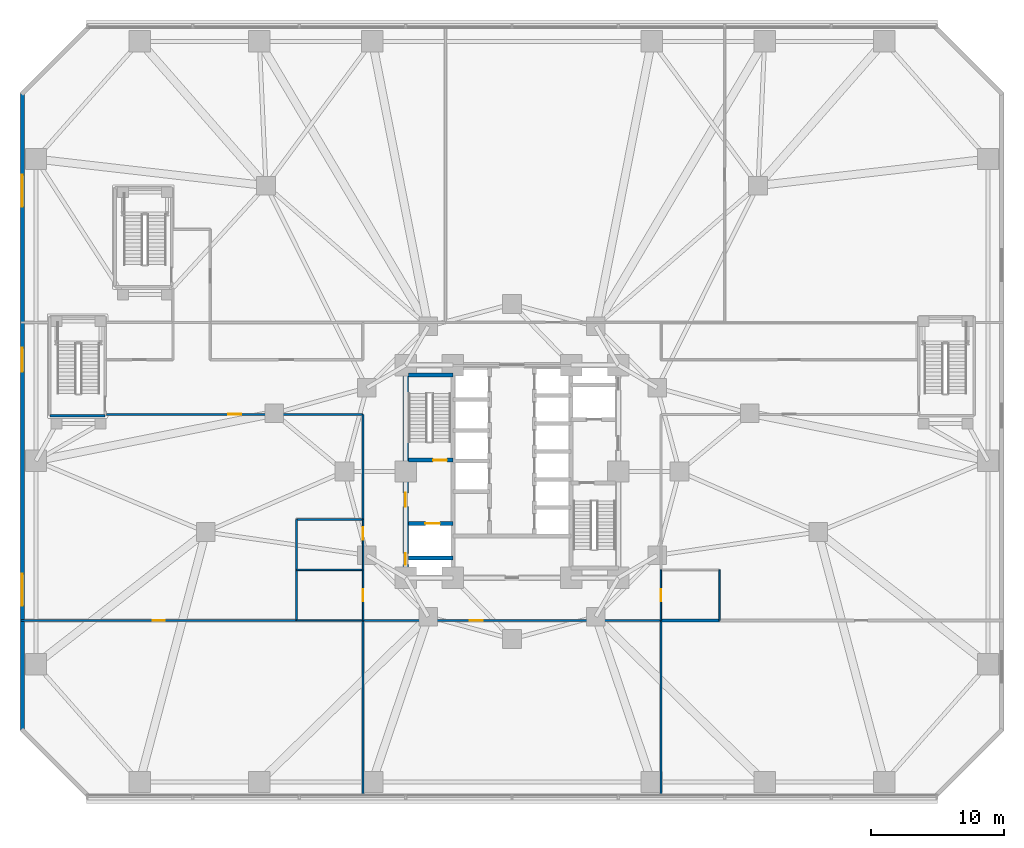
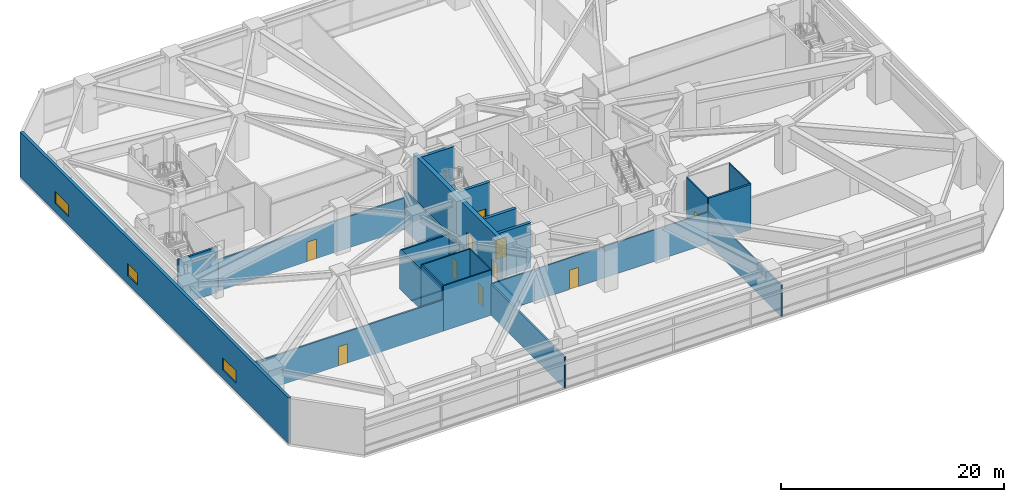
# One storey, part 15 of 27: 23 walls, 10 doors, 3 windows, 13 openings.
"""IFC4 building model written with IfcOpenShell, lengths in metres."""

from ifc_helpers import new_model, si_unit, direction, frame, frame_2d, origin, place, context, subcontext, project, spatial, rectangle, extrude, material, layer, layer_set, type_object, element, fill, save


model = new_model("IFC4")

# Units and contexts
model_context = context("Model", 3, precision=1e-05, world=origin(), true_north=direction((0.0, 1.0)))
body_context = subcontext(model_context, "Body", "Model", "MODEL_VIEW")
ifc_project = project(units=[si_unit("LENGTHUNIT", "METRE"), si_unit("AREAUNIT", "SQUARE_METRE"), si_unit("VOLUMEUNIT", "CUBIC_METRE"), si_unit("PLANEANGLEUNIT", "RADIAN"), si_unit("MASSUNIT", "GRAM", prefix="KILO")], contexts=[model_context])

# Site, building, storey
site_placement = place(None, origin())
site = spatial("IfcSite", under=ifc_project, at=site_placement, CompositionType="ELEMENT")
building_placement = place(site_placement, origin())
building = spatial("IfcBuilding", under=site, at=building_placement, Name="Terralouvre Media Tower", CompositionType="ELEMENT")
storey_placement = place(building_placement, frame((0.0, 0.0, 5.199951171875)))
storey = spatial("IfcBuildingStorey", under=building, at=storey_placement, Name="L01", CompositionType="ELEMENT", Elevation=5.199951171875)

# Wall, opening, door
ifc_material_1 = material(Name="Concrete C50/60", Category="concrete")
ifc_layer_1 = layer(ifc_material_1, 0.300048828125, Name="Core Internal Shaft Wall CW-300")
ifc_layer_set_1 = layer_set([ifc_layer_1], Name="Concrete C50/60")
wall_type_1 = type_object("IfcWallType", Name="Core Internal Shaft Wall CW-300", PredefinedType="SHEAR", material=ifc_layer_set_1)
wall_1_placement = place(storey_placement, frame((-7.7900390625, 0.85009765625, 0.0), z_axis=(0.0, 0.0, 1.0), x_axis=(1.0, 0.0, 0.0)))
wall_1 = element("IfcWall", 1, at=wall_1_placement, inside=storey, type_object=wall_type_1, Name="L01 Core Shaft Wall ST1D", PredefinedType="SHEAR", context=body_context, shape_type="SweptSolid", body=[
    extrude(rectangle(XDim=3.340087890625, YDim=0.300048828125, at=frame_2d((1.669921875, 0.0))), origin(), (0.0, 0.0, 1.0), 4.949951171875),
])
opening_1_placement = place(wall_1_placement, frame((1.85009765625, 0.0, 0.0)))
opening_1 = element("IfcOpeningElement", 2, at=opening_1_placement, cuts=wall_1, Name="Opening FD-01-105X215", PredefinedType="OPENING", context=body_context, shape_type="SweptSolid", body=[
    extrude(rectangle(XDim=1.050048828125, YDim=2.14990234375, at=frame_2d((0.52490234375, 1.074951171875))), frame((0.0, 0.159912109375, 0.0), z_axis=(0.0, -1.0, 0.0), x_axis=(1.0, 0.0, 0.0)), (0.0, 0.0, 1.0), 0.320068359375),
])
ifc_material_2 = material(Name="Galvanised steel fire-resisting leaf", Category="steel")
door_type_1 = type_object("IfcDoorType", Name="Stair and Firefighting Lobby Fire Door FD-01 (1050x2150)", OperationType="NOTDEFINED", PredefinedType="DOOR", material=ifc_material_2)
door_1_placement = place(opening_1_placement, origin())
door_1 = element("IfcDoor", 3, at=door_1_placement, inside=storey, type_object=door_type_1, Name="L01 ST-01 Exit Stair Door", OperationType="SINGLE_SWING_LEFT", OverallHeight=2.14990234375, OverallWidth=1.050048828125, PredefinedType="DOOR", context=body_context, shape_type="SweptSolid", body=[
    extrude(rectangle(XDim=1.050048828125, YDim=2.14990234375, at=frame_2d((0.52490234375, 1.074951171875))), frame((0.0, 0.02490234375, 0.0), z_axis=(0.0, -1.0, 0.0), x_axis=(1.0, 0.0, 0.0)), (0.0, 0.0, 1.0), 0.050048828125),
])
fill(opening_1, door_1)

# Wall
wall_2_placement = place(storey_placement, frame((-7.7900390625, 7.260009765625, 0.0), z_axis=(0.0, 0.0, 1.0), x_axis=(1.0, 0.0, 0.0)))
element("IfcWall", 4, at=wall_2_placement, inside=storey, type_object=wall_type_1, Name="L01 Core Shaft Wall ST1F", PredefinedType="SHEAR", context=body_context, shape_type="SweptSolid", body=[
    extrude(rectangle(XDim=3.340087890625, YDim=0.300048828125, at=frame_2d((1.669921875, 0.0))), origin(), (0.0, 0.0, 1.0), 4.949951171875),
])

# Wall, opening, door
wall_3_placement = place(storey_placement, frame((-7.7900390625, -3.89990234375, 0.0), z_axis=(0.0, 0.0, 1.0), x_axis=(1.0, 0.0, 0.0)))
wall_3 = element("IfcWall", 5, at=wall_3_placement, inside=storey, type_object=wall_type_1, Name="L01 Core Shaft Wall FF1N", PredefinedType="SHEAR", context=body_context, shape_type="SweptSolid", body=[
    extrude(rectangle(XDim=3.340087890625, YDim=0.300048828125, at=frame_2d((1.669921875, 0.0))), origin(), (0.0, 0.0, 1.0), 4.949951171875),
])
opening_2_placement = place(wall_3_placement, frame((1.27001953125, 0.0, 0.0)))
opening_2 = element("IfcOpeningElement", 6, at=opening_2_placement, cuts=wall_3, Name="Opening LD-FF", PredefinedType="OPENING", context=body_context, shape_type="SweptSolid", body=[
    extrude(rectangle(XDim=1.10009765625, YDim=2.10009765625, at=frame_2d((0.550048828125, 1.050048828125))), frame((0.0, 0.159912109375, 0.0), z_axis=(0.0, -1.0, 0.0), x_axis=(1.0, 0.0, 0.0)), (0.0, 0.0, 1.0), 0.320068359375),
])
ifc_material_3 = material(Name="Stainless steel 316 handrail and balustrade", Category="steel")
door_type_2 = type_object("IfcDoorType", Name="Firefighting Lift Sliding Landing Door LD-FF", OperationType="SLIDING_TO_LEFT", PredefinedType="DOOR", material=ifc_material_3)
door_2_placement = place(opening_2_placement, origin())
door_2 = element("IfcDoor", 7, at=door_2_placement, inside=storey, type_object=door_type_2, Name="L01 Firefighting Lift FFL-01 Landing Door", OperationType="SLIDING_TO_LEFT", OverallHeight=2.10009765625, OverallWidth=1.10009765625, PredefinedType="DOOR", context=body_context, shape_type="SweptSolid", body=[
    extrude(rectangle(XDim=1.10009765625, YDim=2.10009765625, at=frame_2d((0.550048828125, 1.050048828125))), frame((0.0, 0.02490234375, 0.0), z_axis=(0.0, -1.0, 0.0), x_axis=(1.0, 0.0, 0.0)), (0.0, 0.0, 1.0), 0.050048828125),
])
fill(opening_2, door_2)

# Wall
wall_4_placement = place(storey_placement, frame((-7.7900390625, -6.5, 0.0), z_axis=(0.0, 0.0, 1.0), x_axis=(1.0, 0.0, 0.0)))
element("IfcWall", 8, at=wall_4_placement, inside=storey, type_object=wall_type_1, Name="L01 Core Shaft Wall FF1S", PredefinedType="SHEAR", context=body_context, shape_type="SweptSolid", body=[
    extrude(rectangle(XDim=3.340087890625, YDim=0.300048828125, at=frame_2d((1.669921875, 0.0))), origin(), (0.0, 0.0, 1.0), 4.949951171875),
])

# Wall, openings, doors
ifc_material_4 = material(Name="Concrete C60/75", Category="concrete")
ifc_layer_2 = layer(ifc_material_4, 0.419921875, Name="Core Reinforced Concrete Shear Wall CW-420")
ifc_layer_set_2 = layer_set([ifc_layer_2], Name="Concrete C60/75")
wall_type_2 = type_object("IfcWallType", Name="Core Reinforced Concrete Shear Wall CW-420", PredefinedType="SHEAR", material=ifc_layer_set_2)
wall_5_placement = place(storey_placement, frame((-8.0, -8.0, 0.0), z_axis=(0.0, 0.0, 1.0), x_axis=(0.0, 1.0, 0.0)))
wall_5 = element("IfcWall", 9, at=wall_5_placement, inside=storey, type_object=wall_type_2, Name="L01 W Core Shear Wall", PredefinedType="SHEAR", context=body_context, shape_type="SweptSolid", body=[
    extrude(rectangle(XDim=16.0, YDim=0.419921875, at=frame_2d((8.0, 0.0))), origin(), (0.0, 0.0, 1.0), 4.949951171875),
])
opening_3_placement = place(wall_5_placement, frame((1.001708984375, 0.0, 0.0)))
opening_3 = element("IfcOpeningElement", 10, at=opening_3_placement, cuts=wall_5, Name="Opening TD-R1", PredefinedType="OPENING", context=body_context, shape_type="SweptSolid", body=[
    extrude(rectangle(XDim=0.85009765625, YDim=2.02001953125, at=frame_2d((0.425048828125, 1.010009765625))), frame((0.0, 0.219970703125, 0.0), z_axis=(0.0, -1.0, 0.0), x_axis=(1.0, 0.0, 0.0)), (0.0, 0.0, 1.0), 0.43994140625),
])
opening_4_placement = place(wall_5_placement, frame((5.35009765625, 0.0, 0.0)))
opening_4 = element("IfcOpeningElement", 11, at=opening_4_placement, cuts=wall_5, Name="Opening FD-01-105X215", PredefinedType="OPENING", context=body_context, shape_type="SweptSolid", body=[
    extrude(rectangle(XDim=1.050048828125, YDim=2.14990234375, at=frame_2d((0.52490234375, 1.074951171875))), frame((0.0, 0.219970703125, 0.0), z_axis=(0.0, -1.0, 0.0), x_axis=(1.0, 0.0, 0.0)), (0.0, 0.0, 1.0), 0.43994140625),
])
ifc_material_5 = material(Name="Galvanised steel fire-resisting leaf", Category="steel")
door_type_3 = type_object("IfcDoorType", Name="Riser Inspection Access Trapdoor TD-R1", OperationType="NOTDEFINED", PredefinedType="TRAPDOOR", material=ifc_material_5)
door_3_placement = place(opening_3_placement, origin())
door_3 = element("IfcDoor", 12, at=door_3_placement, inside=storey, type_object=door_type_3, Name="L01 Wet Riser Access Trapdoor", OperationType="SINGLE_SWING_LEFT", OverallHeight=2.02001953125, OverallWidth=0.85009765625, PredefinedType="TRAPDOOR", context=body_context, shape_type="SweptSolid", body=[
    extrude(rectangle(XDim=0.85009765625, YDim=2.02001953125, at=frame_2d((0.425048828125, 1.010009765625))), frame((0.0, 0.02490234375, 0.0), z_axis=(0.0, -1.0, 0.0), x_axis=(1.0, 0.0, 0.0)), (0.0, 0.0, 1.0), 0.050048828125),
])
fill(opening_3, door_3)
door_4_placement = place(opening_4_placement, origin())
door_4 = element("IfcDoor", 13, at=door_4_placement, inside=storey, type_object=door_type_1, Name="L01 West Firefighting Lobby Entry Door", OperationType="SINGLE_SWING_RIGHT", OverallHeight=2.14990234375, OverallWidth=1.050048828125, PredefinedType="DOOR", context=body_context, shape_type="SweptSolid", body=[
    extrude(rectangle(XDim=1.050048828125, YDim=2.14990234375, at=frame_2d((0.52490234375, 1.074951171875))), frame((0.0, 0.02490234375, 0.0), z_axis=(0.0, -1.0, 0.0), x_axis=(1.0, 0.0, 0.0)), (0.0, 0.0, 1.0), 0.050048828125),
])
fill(opening_4, door_4)

# Walls
ifc_material_6 = material(Name="Fire-rated gypsum board drywall partition")
ifc_layer_3 = layer(ifc_material_6, 0.199951171875, Name="Fire-Rated Shaft and Lobby Partition FW-200")
ifc_layer_set_3 = layer_set([ifc_layer_3], Name="Fire-rated gypsum board drywall partition")
wall_type_3 = type_object("IfcWallType", Name="Fire-Rated Shaft and Lobby Partition FW-200", PredefinedType="SOLIDWALL", material=ifc_layer_set_3)
wall_6_placement = place(storey_placement, frame((-34.75, 4.199951171875, 0.0), z_axis=(0.0, 0.0, 1.0), x_axis=(1.0, 0.0, 0.0)))
element("IfcWall", 14, at=wall_6_placement, inside=storey, type_object=wall_type_3, Name="L01 ST03 Stair Shaft Wall S", PredefinedType="SOLIDWALL", context=body_context, shape_type="SweptSolid", body=[
    extrude(rectangle(XDim=4.14990234375, YDim=0.199951171875, at=frame_2d((2.074951171875, 0.0))), origin(), (0.0, 0.0, 1.0), 4.949951171875),
])
wall_7_placement = place(storey_placement, frame((15.60009765625, -11.199951171875, 0.0), z_axis=(0.0, 0.0, 1.0), x_axis=(-1.0, 0.0, 0.0)))
element("IfcWall", 15, at=wall_7_placement, inside=storey, type_object=wall_type_3, Name="L01 Interior Partition 031", PredefinedType="SOLIDWALL", context=body_context, shape_type="SweptSolid", body=[
    extrude(rectangle(XDim=4.400146484375, YDim=0.199951171875, at=frame_2d((2.2001953125, 0.0))), origin(), (0.0, 0.0, 1.0), 4.949951171875),
])

# Wall, opening, door
ifc_material_7 = material(Name="Fire-rated gypsum board drywall partition")
ifc_layer_4 = layer(ifc_material_7, 0.135009765625, Name="Newsroom Acoustic Partition PT-135")
ifc_layer_set_4 = layer_set([ifc_layer_4], Name="Fire-rated gypsum board drywall partition")
wall_type_4 = type_object("IfcWallType", Name="Newsroom Acoustic Partition PT-135", PredefinedType="PARTITIONING", material=ifc_layer_set_4)
wall_8_placement = place(storey_placement, frame((-11.199951171875, -11.199951171875, 0.0), z_axis=(0.0, 0.0, 1.0), x_axis=(1.0, 0.0, 0.0)))
wall_8 = element("IfcWall", 16, at=wall_8_placement, inside=storey, type_object=wall_type_4, Name="L01 Interior Partition 006", PredefinedType="PARTITIONING", context=body_context, shape_type="SweptSolid", body=[
    extrude(rectangle(XDim=22.39990234375, YDim=0.135009765625, at=frame_2d((11.199951171875, 0.0))), origin(), (0.0, 0.0, 1.0), 3.43505859375),
])
opening_5_placement = place(wall_8_placement, frame((8.037109375, 0.0, 0.0)))
opening_5 = element("IfcOpeningElement", 17, at=opening_5_placement, cuts=wall_8, Name="Opening ID-02-95X210", PredefinedType="OPENING", context=body_context, shape_type="SweptSolid", body=[
    extrude(rectangle(XDim=0.949951171875, YDim=2.10009765625, at=frame_2d((0.47509765625, 1.050048828125))), frame((0.0, 0.077392578125, 0.0), z_axis=(0.0, -1.0, 0.0), x_axis=(1.0, 0.0, 0.0)), (0.0, 0.0, 1.0), 0.155029296875),
])
ifc_material_8 = material(Name="Engineered hardwood acoustic timber leaf", Category="wood")
door_type_4 = type_object("IfcDoorType", Name="Office and Meeting Room Door ID-02 (950x2100)", OperationType="NOTDEFINED", PredefinedType="DOOR", material=ifc_material_8)
door_5_placement = place(opening_5_placement, origin())
door_5 = element("IfcDoor", 18, at=door_5_placement, inside=storey, type_object=door_type_4, Name="L01 L01 Live Audience Warm-Up Foyer 3 Door", OperationType="SINGLE_SWING_LEFT", OverallHeight=2.10009765625, OverallWidth=0.949951171875, PredefinedType="DOOR", context=body_context, shape_type="SweptSolid", body=[
    extrude(rectangle(XDim=0.949951171875, YDim=2.10009765625, at=frame_2d((0.47509765625, 1.050048828125))), frame((0.0, 0.02490234375, 0.0), z_axis=(0.0, -1.0, 0.0), x_axis=(1.0, 0.0, 0.0)), (0.0, 0.0, 1.0), 0.050048828125),
])
fill(opening_5, door_5)

# Wall
wall_9_placement = place(storey_placement, frame((11.199951171875, -24.419921875, 0.0), z_axis=(0.0, 0.0, 1.0), x_axis=(0.0, 1.0, 0.0)))
element("IfcWall", 19, at=wall_9_placement, inside=storey, type_object=wall_type_4, Name="L01 Interior Partition 030", PredefinedType="PARTITIONING", context=body_context, shape_type="SweptSolid", body=[
    extrude(rectangle(XDim=13.219970703125, YDim=0.135009765625, at=frame_2d((6.60986328125, 0.0))), origin(), (0.0, 0.0, 1.0), 3.43505859375),
])

# Wall, openings, windows
ifc_material_9 = material(Name="Kiln-fired architectural terracotta rainscreen cladding", Category="masonry")
ifc_layer_5 = layer(ifc_material_9, 0.300048828125, Name="Podium Acoustic Terracotta Cladding Wall EW-TC300")
ifc_layer_set_5 = layer_set([ifc_layer_5], Name="Kiln-fired architectural terracotta rainscreen cladding")
wall_type_5 = type_object("IfcWallType", Name="Podium Acoustic Terracotta Cladding Wall EW-TC300", PredefinedType="SOLIDWALL", material=ifc_layer_set_5)
wall_10_placement = place(storey_placement, frame((-36.824951171875, 28.5, 0.0), z_axis=(0.0, 0.0, 1.0), x_axis=(0.0, -1.0, 0.0)))
wall_10 = element("IfcWall", 20, at=wall_10_placement, inside=storey, type_object=wall_type_5, Name="L01 Podium Terracotta Wall F6", PredefinedType="SOLIDWALL", context=body_context, shape_type="SweptSolid", body=[
    extrude(rectangle(XDim=48.0, YDim=0.300048828125, at=frame_2d((24.0, 0.0))), origin(), (0.0, 0.0, 1.0), 4.949951171875),
])
opening_6_placement = place(wall_10_placement, frame((6.199951171875, 0.0, 0.89990234375)))
opening_6 = element("IfcOpeningElement", 21, at=opening_6_placement, cuts=wall_10, Name="Opening W-01", PredefinedType="OPENING", context=body_context, shape_type="SweptSolid", body=[
    extrude(rectangle(XDim=2.39990234375, YDim=1.35009765625, at=frame_2d((1.199951171875, 0.675048828125))), frame((0.0, 0.159912109375, 0.0), z_axis=(0.0, -1.0, 0.0), x_axis=(1.0, 0.0, 0.0)), (0.0, 0.0, 1.0), 0.320068359375),
])
opening_7_placement = place(wall_10_placement, frame((19.199951171875, 0.0, 0.89990234375)))
opening_7 = element("IfcOpeningElement", 22, at=opening_7_placement, cuts=wall_10, Name="Opening W-02", PredefinedType="OPENING", context=body_context, shape_type="SweptSolid", body=[
    extrude(rectangle(XDim=1.800048828125, YDim=1.35009765625, at=frame_2d((0.89990234375, 0.675048828125))), frame((0.0, 0.159912109375, 0.0), z_axis=(0.0, -1.0, 0.0), x_axis=(1.0, 0.0, 0.0)), (0.0, 0.0, 1.0), 0.320068359375),
])
opening_8_placement = place(wall_10_placement, frame((36.199951171875, 0.0, 0.89990234375)))
opening_8 = element("IfcOpeningElement", 23, at=opening_8_placement, cuts=wall_10, Name="Opening W-01", PredefinedType="OPENING", context=body_context, shape_type="SweptSolid", body=[
    extrude(rectangle(XDim=2.39990234375, YDim=1.35009765625, at=frame_2d((1.199951171875, 0.675048828125))), frame((0.0, 0.159912109375, 0.0), z_axis=(0.0, -1.0, 0.0), x_axis=(1.0, 0.0, 0.0)), (0.0, 0.0, 1.0), 0.320068359375),
])
ifc_material_10 = material(Name="Low-iron laminated double glazing with solar-control coating", Category="glass")
window_type_1 = type_object("IfcWindowType", Name="Podium Acoustic Studio Window W-01", PartitioningType="SINGLE_PANEL", PredefinedType="WINDOW", material=ifc_material_10)
window_1_placement = place(opening_6_placement, origin())
window_1 = element("IfcWindow", 24, at=window_1_placement, inside=storey, type_object=window_type_1, Name="L01 Podium Window WIN-L01-F6-1", OverallHeight=1.35009765625, OverallWidth=2.39990234375, PartitioningType="SINGLE_PANEL", PredefinedType="WINDOW", context=body_context, shape_type="SweptSolid", body=[
    extrude(rectangle(XDim=2.39990234375, YDim=1.35009765625, at=frame_2d((1.199951171875, 0.675048828125))), frame((0.0, 0.030029296875, 0.0), z_axis=(0.0, -1.0, 0.0), x_axis=(1.0, 0.0, 0.0)), (0.0, 0.0, 1.0), 0.06005859375),
])
fill(opening_6, window_1)
window_2_placement = place(opening_8_placement, origin())
window_2 = element("IfcWindow", 25, at=window_2_placement, inside=storey, type_object=window_type_1, Name="L01 Podium Window WIN-L01-F6-3", OverallHeight=1.35009765625, OverallWidth=2.39990234375, PartitioningType="SINGLE_PANEL", PredefinedType="WINDOW", context=body_context, shape_type="SweptSolid", body=[
    extrude(rectangle(XDim=2.39990234375, YDim=1.35009765625, at=frame_2d((1.199951171875, 0.675048828125))), frame((0.0, 0.030029296875, 0.0), z_axis=(0.0, -1.0, 0.0), x_axis=(1.0, 0.0, 0.0)), (0.0, 0.0, 1.0), 0.06005859375),
])
fill(opening_8, window_2)
ifc_material_11 = material(Name="Low-iron laminated double glazing with solar-control coating", Category="glass")
window_type_2 = type_object("IfcWindowType", Name="Podium Press Office Window W-02", PartitioningType="SINGLE_PANEL", PredefinedType="WINDOW", material=ifc_material_11)
window_3_placement = place(opening_7_placement, origin())
window_3 = element("IfcWindow", 26, at=window_3_placement, inside=storey, type_object=window_type_2, Name="L01 Podium Window WIN-L01-F6-2", OverallHeight=1.35009765625, OverallWidth=1.800048828125, PartitioningType="SINGLE_PANEL", PredefinedType="WINDOW", context=body_context, shape_type="SweptSolid", body=[
    extrude(rectangle(XDim=1.800048828125, YDim=1.35009765625, at=frame_2d((0.89990234375, 0.675048828125))), frame((0.0, 0.030029296875, 0.0), z_axis=(0.0, -1.0, 0.0), x_axis=(1.0, 0.0, 0.0)), (0.0, 0.0, 1.0), 0.06005859375),
])
fill(opening_7, window_3)

# Wall, opening, door
ifc_material_12 = material(Name="Fire-rated gypsum board drywall partition")
ifc_layer_6 = layer(ifc_material_12, 0.114990234375, Name="Restroom and Pantry Partition PT-115")
ifc_layer_set_6 = layer_set([ifc_layer_6], Name="Fire-rated gypsum board drywall partition")
wall_type_6 = type_object("IfcWallType", Name="Restroom and Pantry Partition PT-115", PredefinedType="PARTITIONING", material=ifc_layer_set_6)
wall_11_placement = place(storey_placement, frame((-11.199951171875, -3.60009765625, 0.0), z_axis=(0.0, 0.0, 1.0), x_axis=(0.0, -1.0, 0.0)))
wall_11 = element("IfcWall", 27, at=wall_11_placement, inside=storey, type_object=wall_type_6, Name="L01 Interior Partition 004", PredefinedType="PARTITIONING", context=body_context, shape_type="SweptSolid", body=[
    extrude(rectangle(XDim=3.7998046875, YDim=0.114990234375, at=frame_2d((1.89990234375, 0.0))), origin(), (0.0, 0.0, 1.0), 4.235107421875),
])
opening_9_placement = place(wall_11_placement, frame((0.60400390625, 0.0, 0.0)))
opening_9 = element("IfcOpeningElement", 28, at=opening_9_placement, cuts=wall_11, Name="Opening ID-03-92X210", PredefinedType="OPENING", context=body_context, shape_type="SweptSolid", body=[
    extrude(rectangle(XDim=0.919921875, YDim=2.10009765625, at=frame_2d((0.4599609375, 1.050048828125))), frame((0.0, 0.0673828125, 0.0), z_axis=(0.0, -1.0, 0.0), x_axis=(1.0, 0.0, 0.0)), (0.0, 0.0, 1.0), 0.135009765625),
])
ifc_material_13 = material(Name="Engineered hardwood acoustic timber leaf", Category="wood")
door_type_5 = type_object("IfcDoorType", Name="Accessible Restroom and Suite Door ID-03 (920x2100)", OperationType="NOTDEFINED", PredefinedType="DOOR", material=ifc_material_13)
door_6_placement = place(opening_9_placement, origin())
door_6 = element("IfcDoor", 29, at=door_6_placement, inside=storey, type_object=door_type_5, Name="L01 L01 Podium Female Restroom WC Door", OperationType="SINGLE_SWING_LEFT", OverallHeight=2.10009765625, OverallWidth=0.919921875, PredefinedType="DOOR", context=body_context, shape_type="SweptSolid", body=[
    extrude(rectangle(XDim=0.919921875, YDim=2.10009765625, at=frame_2d((0.4599609375, 1.050048828125))), frame((0.0, 0.02490234375, 0.0), z_axis=(0.0, -1.0, 0.0), x_axis=(1.0, 0.0, 0.0)), (0.0, 0.0, 1.0), 0.050048828125),
])
fill(opening_9, door_6)

wall_12_placement = place(storey_placement, frame((-11.199951171875, -7.39990234375, 0.0), z_axis=(0.0, 0.0, 1.0), x_axis=(0.0, -1.0, 0.0)))
wall_12 = element("IfcWall", 30, at=wall_12_placement, inside=storey, type_object=wall_type_6, Name="L01 Interior Partition 005", PredefinedType="PARTITIONING", context=body_context, shape_type="SweptSolid", body=[
    extrude(rectangle(XDim=3.800048828125, YDim=0.114990234375, at=frame_2d((1.89990234375, 0.0))), origin(), (0.0, 0.0, 1.0), 4.949951171875),
])
opening_10_placement = place(wall_12_placement, frame((1.43994140625, 0.0, 0.0)))
opening_10 = element("IfcOpeningElement", 31, at=opening_10_placement, cuts=wall_12, Name="Opening ID-03-92X210", PredefinedType="OPENING", context=body_context, shape_type="SweptSolid", body=[
    extrude(rectangle(XDim=0.919921875, YDim=2.10009765625, at=frame_2d((0.4599609375, 1.050048828125))), frame((0.0, 0.0673828125, 0.0), z_axis=(0.0, -1.0, 0.0), x_axis=(1.0, 0.0, 0.0)), (0.0, 0.0, 1.0), 0.135009765625),
])
door_7_placement = place(opening_10_placement, origin())
door_7 = element("IfcDoor", 32, at=door_7_placement, inside=storey, type_object=door_type_5, Name="L01 L01 Podium Male Restroom WC Door", OperationType="SINGLE_SWING_RIGHT", OverallHeight=2.10009765625, OverallWidth=0.919921875, PredefinedType="DOOR", context=body_context, shape_type="SweptSolid", body=[
    extrude(rectangle(XDim=0.919921875, YDim=2.10009765625, at=frame_2d((0.4599609375, 1.050048828125))), frame((0.0, 0.02490234375, 0.0), z_axis=(0.0, -1.0, 0.0), x_axis=(1.0, 0.0, 0.0)), (0.0, 0.0, 1.0), 0.050048828125),
])
fill(opening_10, door_7)

wall_13_placement = place(storey_placement, frame((11.199951171875, -11.199951171875, 0.0), z_axis=(0.0, 0.0, 1.0), x_axis=(0.0, 1.0, 0.0)))
wall_13 = element("IfcWall", 33, at=wall_13_placement, inside=storey, type_object=wall_type_6, Name="L01 Interior Partition 007", PredefinedType="PARTITIONING", context=body_context, shape_type="SweptSolid", body=[
    extrude(rectangle(XDim=3.800048828125, YDim=0.114990234375, at=frame_2d((1.89990234375, 0.0))), origin(), (0.0, 0.0, 1.0), 4.949951171875),
])
opening_11_placement = place(wall_13_placement, frame((1.43994140625, 0.0, 0.0)))
opening_11 = element("IfcOpeningElement", 34, at=opening_11_placement, cuts=wall_13, Name="Opening ID-03-92X210", PredefinedType="OPENING", context=body_context, shape_type="SweptSolid", body=[
    extrude(rectangle(XDim=0.919921875, YDim=2.10009765625, at=frame_2d((0.4599609375, 1.050048828125))), frame((0.0, 0.0673828125, 0.0), z_axis=(0.0, -1.0, 0.0), x_axis=(1.0, 0.0, 0.0)), (0.0, 0.0, 1.0), 0.135009765625),
])
door_8_placement = place(opening_11_placement, origin())
door_8 = element("IfcDoor", 35, at=door_8_placement, inside=storey, type_object=door_type_5, Name="L01 L01 Podium Accessible Unisex WC Door", OperationType="SINGLE_SWING_RIGHT", OverallHeight=2.10009765625, OverallWidth=0.919921875, PredefinedType="DOOR", context=body_context, shape_type="SweptSolid", body=[
    extrude(rectangle(XDim=0.919921875, YDim=2.10009765625, at=frame_2d((0.4599609375, 1.050048828125))), frame((0.0, 0.02490234375, 0.0), z_axis=(0.0, -1.0, 0.0), x_axis=(1.0, 0.0, 0.0)), (0.0, 0.0, 1.0), 0.050048828125),
])
fill(opening_11, door_8)

# Walls
for number, where, z_axis, x_axis, name in (
    (36, (-16.199951171875, -7.39990234375, 0.0), (0.0, 0.0, 1.0), (1.0, 0.0, 0.0), "L01 Interior Partition 027"),
    (37, (-16.199951171875, -11.199951171875, 0.0), (0.0, 0.0, 1.0), (1.0, 0.0, 0.0), "L01 Interior Partition 028"),
):
    element("IfcWall", number, at=place(storey_placement, frame(where, z_axis=z_axis, x_axis=x_axis)), inside=storey, type_object=wall_type_6, Name=name, PredefinedType="PARTITIONING", context=body_context, shape_type="SweptSolid", body=[
        extrude(rectangle(XDim=5.0, YDim=0.114990234375, at=frame_2d((2.5, 0.0))), origin(), (0.0, 0.0, 1.0), 4.949951171875),
    ])
wall_14_placement = place(storey_placement, frame((15.60009765625, -11.199951171875, 0.0), z_axis=(0.0, 0.0, 1.0), x_axis=(0.0, 1.0, 0.0)))
element("IfcWall", 38, at=wall_14_placement, inside=storey, type_object=wall_type_6, Name="L01 Interior Partition 033", PredefinedType="PARTITIONING", context=body_context, shape_type="SweptSolid", body=[
    extrude(rectangle(XDim=3.800048828125, YDim=0.114990234375, at=frame_2d((1.89990234375, 0.0))), origin(), (0.0, 0.0, 1.0), 4.949951171875),
])

# Wall, opening, door
ifc_material_14 = material(Name="Fire-rated gypsum board drywall partition")
ifc_layer_7 = layer(ifc_material_14, 0.159912109375, Name="Studio Acoustic Rated Partition PT-160")
ifc_layer_set_7 = layer_set([ifc_layer_7], Name="Fire-rated gypsum board drywall partition")
wall_type_7 = type_object("IfcWallType", Name="Studio Acoustic Rated Partition PT-160", PredefinedType="PARTITIONING", material=ifc_layer_set_7)
wall_15_placement = place(storey_placement, frame((-30.5, 4.300048828125, 0.0), z_axis=(0.0, 0.0, 1.0), x_axis=(1.0, 0.0, 0.0)))
wall_15 = element("IfcWall", 39, at=wall_15_placement, inside=storey, type_object=wall_type_7, Name="L01 Interior Partition 002", PredefinedType="PARTITIONING", context=body_context, shape_type="SweptSolid", body=[
    extrude(rectangle(XDim=19.300048828125, YDim=0.159912109375, at=frame_2d((9.64990234375, 0.0))), origin(), (0.0, 0.0, 1.0), 3.43505859375),
])
opening_12_placement = place(wall_15_placement, frame((9.14990234375, 0.0, 0.0)))
opening_12 = element("IfcOpeningElement", 40, at=opening_12_placement, cuts=wall_15, Name="Opening ID-01-100X215", PredefinedType="OPENING", context=body_context, shape_type="SweptSolid", body=[
    extrude(rectangle(XDim=1.0, YDim=2.14990234375, at=frame_2d((0.5, 1.074951171875))), frame((0.0, 0.08984375, 0.0), z_axis=(0.0, -1.0, 0.0), x_axis=(1.0, 0.0, 0.0)), (0.0, 0.0, 1.0), 0.179931640625),
])
ifc_material_15 = material(Name="Engineered hardwood acoustic timber leaf", Category="wood")
door_type_6 = type_object("IfcDoorType", Name="Broadcast Studio Acoustic Single Door ID-01 (1000x2150)", OperationType="NOTDEFINED", PredefinedType="DOOR", material=ifc_material_15)
door_9_placement = place(opening_12_placement, origin())
door_9 = element("IfcDoor", 41, at=door_9_placement, inside=storey, type_object=door_type_6, Name="L01 L01 Broadcast Television Studio Hall A 1 Door", OperationType="SINGLE_SWING_RIGHT", OverallHeight=2.14990234375, OverallWidth=1.0, PredefinedType="DOOR", context=body_context, shape_type="SweptSolid", body=[
    extrude(rectangle(XDim=1.0, YDim=2.14990234375, at=frame_2d((0.5, 1.074951171875))), frame((0.0, 0.02490234375, 0.0), z_axis=(0.0, -1.0, 0.0), x_axis=(1.0, 0.0, 0.0)), (0.0, 0.0, 1.0), 0.050048828125),
])
fill(opening_12, door_9)

# Walls
wall_16_placement = place(storey_placement, frame((-11.199951171875, 4.300048828125, 0.0), z_axis=(0.0, 0.0, 1.0), x_axis=(0.0, -1.0, 0.0)))
element("IfcWall", 42, at=wall_16_placement, inside=storey, type_object=wall_type_7, Name="L01 Interior Partition 003", PredefinedType="PARTITIONING", context=body_context, shape_type="SweptSolid", body=[
    extrude(rectangle(XDim=7.900146484375, YDim=0.159912109375, at=frame_2d((3.9501953125, 0.0))), origin(), (0.0, 0.0, 1.0), 4.235107421875),
])
wall_17_placement = place(storey_placement, frame((-16.199951171875, -7.39990234375, 0.0), z_axis=(0.0, 0.0, 1.0), x_axis=(0.0, 1.0, 0.0)))
element("IfcWall", 43, at=wall_17_placement, inside=storey, type_object=wall_type_7, Name="L01 Interior Partition 022", PredefinedType="PARTITIONING", context=body_context, shape_type="SweptSolid", body=[
    extrude(rectangle(XDim=3.7998046875, YDim=0.159912109375, at=frame_2d((1.89990234375, 0.0))), origin(), (0.0, 0.0, 1.0), 4.235107421875),
])
wall_18_placement = place(storey_placement, frame((-16.199951171875, -3.60009765625, 0.0), z_axis=(0.0, 0.0, 1.0), x_axis=(1.0, 0.0, 0.0)))
element("IfcWall", 44, at=wall_18_placement, inside=storey, type_object=wall_type_7, Name="L01 Interior Partition 023", PredefinedType="PARTITIONING", context=body_context, shape_type="SweptSolid", body=[
    extrude(rectangle(XDim=5.0, YDim=0.159912109375, at=frame_2d((2.5, 0.0))), origin(), (0.0, 0.0, 1.0), 4.235107421875),
])
wall_19_placement = place(storey_placement, frame((-16.199951171875, -11.199951171875, 0.0), z_axis=(0.0, 0.0, 1.0), x_axis=(0.0, 1.0, 0.0)))
element("IfcWall", 45, at=wall_19_placement, inside=storey, type_object=wall_type_7, Name="L01 Interior Partition 024", PredefinedType="PARTITIONING", context=body_context, shape_type="SweptSolid", body=[
    extrude(rectangle(XDim=3.800048828125, YDim=0.159912109375, at=frame_2d((1.89990234375, 0.0))), origin(), (0.0, 0.0, 1.0), 4.949951171875),
])

# Wall, opening, door
wall_20_placement = place(storey_placement, frame((-36.919921875, -11.199951171875, 0.0), z_axis=(0.0, 0.0, 1.0), x_axis=(1.0, 0.0, 0.0)))
wall_20 = element("IfcWall", 46, at=wall_20_placement, inside=storey, type_object=wall_type_7, Name="L01 Interior Partition 025", PredefinedType="PARTITIONING", context=body_context, shape_type="SweptSolid", body=[
    extrude(rectangle(XDim=20.719970703125, YDim=0.159912109375, at=frame_2d((10.35986328125, 0.0))), origin(), (0.0, 0.0, 1.0), 3.43505859375),
])
opening_13_placement = place(wall_20_placement, frame((9.89990234375, 0.0, 0.0)))
opening_13 = element("IfcOpeningElement", 47, at=opening_13_placement, cuts=wall_20, Name="Opening ID-03-92X210", PredefinedType="OPENING", context=body_context, shape_type="SweptSolid", body=[
    extrude(rectangle(XDim=0.919921875, YDim=2.10009765625, at=frame_2d((0.4599609375, 1.050048828125))), frame((0.0, 0.08984375, 0.0), z_axis=(0.0, -1.0, 0.0), x_axis=(1.0, 0.0, 0.0)), (0.0, 0.0, 1.0), 0.179931640625),
])
door_10_placement = place(opening_13_placement, origin())
door_10 = element("IfcDoor", 48, at=door_10_placement, inside=storey, type_object=door_type_5, Name="L01 L01 Broadcast Television Studio Hall B 2 Door", OperationType="SINGLE_SWING_LEFT", OverallHeight=2.10009765625, OverallWidth=0.919921875, PredefinedType="DOOR", context=body_context, shape_type="SweptSolid", body=[
    extrude(rectangle(XDim=0.919921875, YDim=2.10009765625, at=frame_2d((0.4599609375, 1.050048828125))), frame((0.0, 0.02490234375, 0.0), z_axis=(0.0, -1.0, 0.0), x_axis=(1.0, 0.0, 0.0)), (0.0, 0.0, 1.0), 0.050048828125),
])
fill(opening_13, door_10)

# Wall
wall_21_placement = place(storey_placement, frame((-11.199951171875, -24.419921875, 0.0), z_axis=(0.0, 0.0, 1.0), x_axis=(0.0, 1.0, 0.0)))
element("IfcWall", 49, at=wall_21_placement, inside=storey, type_object=wall_type_7, Name="L01 Interior Partition 029", PredefinedType="PARTITIONING", context=body_context, shape_type="SweptSolid", body=[
    extrude(rectangle(XDim=13.219970703125, YDim=0.159912109375, at=frame_2d((6.60986328125, 0.0))), origin(), (0.0, 0.0, 1.0), 3.43505859375),
])

save(model, "model.ifc")
